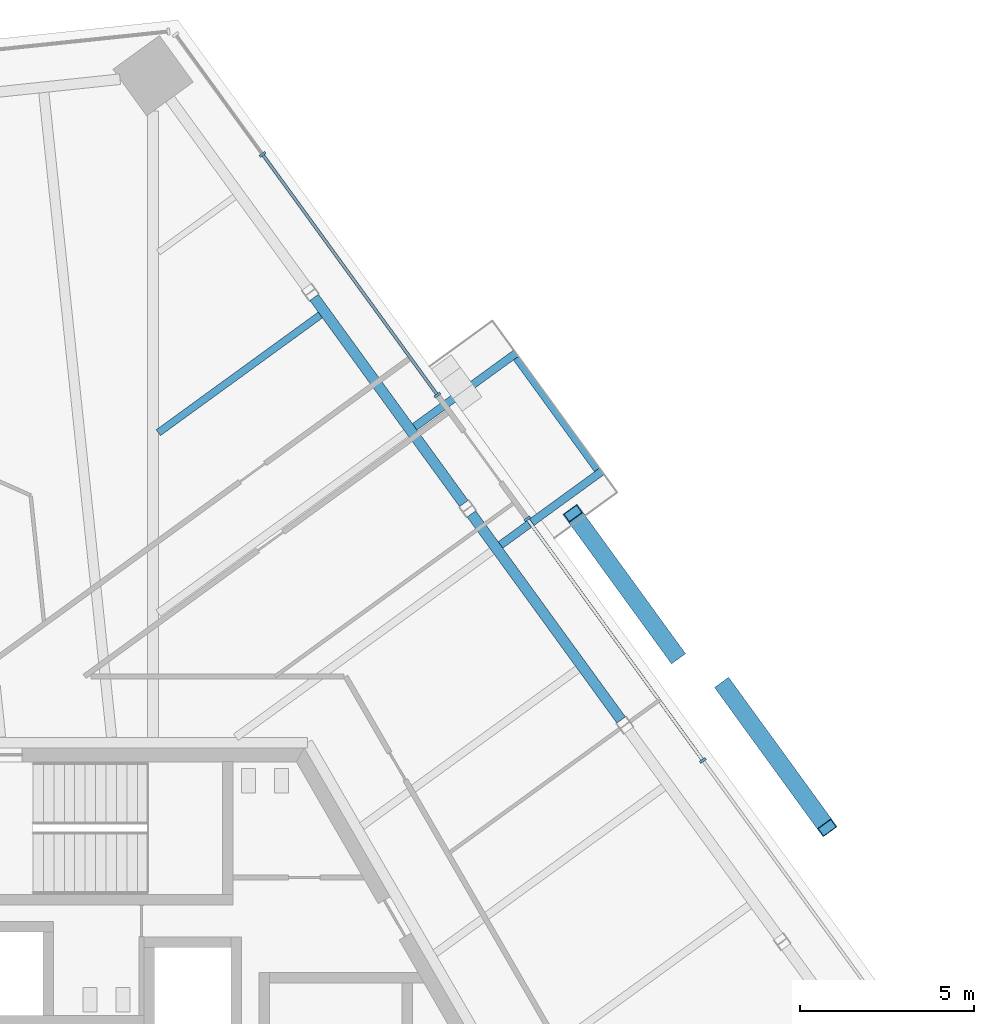
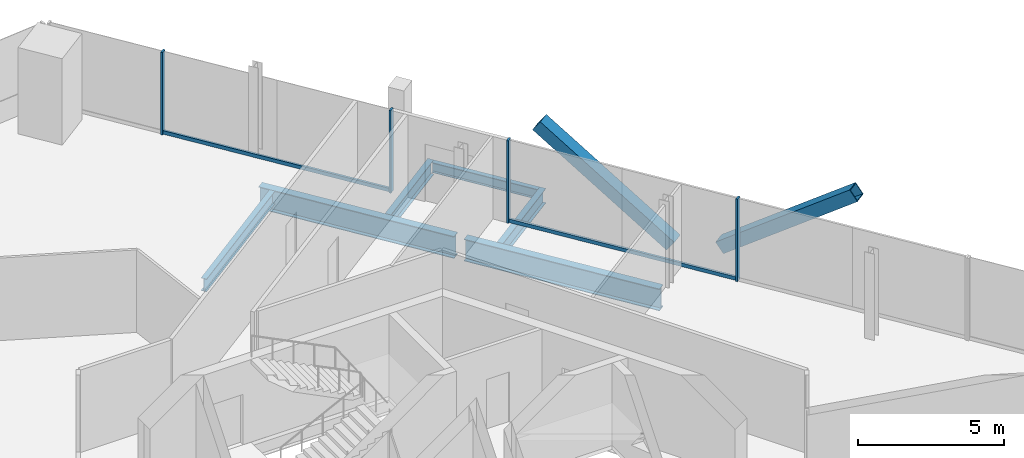
# One storey, part 9 of 18: 8 members, 6 beams, 2 elements without a shape of their own.
"""IFC4 building model written with IfcOpenShell, lengths in metres."""

from ifc_helpers import new_model, si_unit, direction, frame, origin, origin_2d, place, context, subcontext, project, spatial, rectangle, hollow_rectangle, i_section, extrude, source, transform, mapped, material, material_profile, profile_set, type_object, element, aggregate, save


model = new_model("IFC4")

# Units and contexts
model_context = context("Model", 3, precision=1e-05, world=origin(), true_north=direction((0.0, 1.0)))
body_context = subcontext(model_context, "Body", "Model", "MODEL_VIEW")
ifc_project = project(units=[si_unit("LENGTHUNIT", "METRE"), si_unit("AREAUNIT", "SQUARE_METRE"), si_unit("VOLUMEUNIT", "CUBIC_METRE"), si_unit("PLANEANGLEUNIT", "RADIAN"), si_unit("MASSUNIT", "GRAM", prefix="KILO")], contexts=[model_context])

# Site, building, storey
site_placement = place(None, origin())
site = spatial("IfcSite", under=ifc_project, at=site_placement, CompositionType="ELEMENT")
building_placement = place(site_placement, origin())
building = spatial("IfcBuilding", under=site, at=building_placement, Name="Triune Harvest Tower", CompositionType="ELEMENT")
storey_placement = place(building_placement, frame((0.0, 0.0, 237.699951171875)))
storey = spatial("IfcBuildingStorey", under=building, at=storey_placement, Name="L62", CompositionType="ELEMENT", Elevation=237.699951171875)

# Beams
ifc_material_1 = material(Name="Steel ASTM A992 Gr 50", Category="steel")
ifc_material_profile_1 = material_profile(ifc_material_1, i_section(OverallWidth=0.3046875, OverallDepth=0.914306640625, WebThickness=0.0166015625, FlangeThickness=0.02587890625, at=origin_2d()), Name="W36x160")
ifc_profile_set_1 = profile_set([ifc_material_profile_1], Name="Steel ASTM A992 Gr 50")
beam_type_1 = type_object("IfcBeamType", Name="SB-1 Spandrel beam W36x160", PredefinedType="SPANDREL", material=ifc_profile_set_1)
shared_shape_1 = source(origin(), body_context, "Body", "SweptSolid", [
    extrude(i_section(OverallWidth=0.3046875, OverallDepth=0.914306640625, WebThickness=0.0166015625, FlangeThickness=0.02587890625, at=origin_2d()), origin(), (0.0, 0.0, 1.0), 7.31103515625),
])
for number, where, z_axis, x_axis, name in (
    (1, (15.091552734375, 11.1923828125, -0.6171875), (-0.587786436325, 0.809016134124, 0.0), (-0.809016134124, -0.587786436325, 0.0), "beam/L62/SB4"),
    (2, (10.57763671875, 17.405029296875, -0.6171875), (-0.587786436325, 0.809016134124, 0.0), (-0.809016134124, -0.587786436325, 0.0), "beam/L62/SB5"),
):
    element("IfcBeam", number, at=place(storey_placement, frame(where, z_axis=z_axis, x_axis=x_axis)), inside=storey, type_object=beam_type_1, Name=name, PredefinedType="SPANDREL", context=body_context, shape_type="MappedRepresentation", body=[
        mapped(shared_shape_1, transform((0.0, 0.0, 0.0), scale=1.0)),
    ])
ifc_material_2 = material(Name="Steel ASTM A992 Gr 50", Category="steel")
ifc_material_profile_2 = material_profile(ifc_material_2, i_section(OverallWidth=0.2099609375, OverallDepth=0.535888671875, WebThickness=0.010986328125, FlangeThickness=0.017333984375, at=origin_2d()), Name="W21x68")
ifc_profile_set_2 = profile_set([ifc_material_profile_2], Name="Steel ASTM A992 Gr 50")
beam_type_2 = type_object("IfcBeamType", Name="JT-2 Floor joist W21x68", PredefinedType="JOIST", material=ifc_profile_set_2)
shared_shape_2 = source(origin(), body_context, "Body", "SweptSolid", [
    extrude(i_section(OverallWidth=0.2099609375, OverallDepth=0.535888671875, WebThickness=0.010986328125, FlangeThickness=0.017333984375, at=origin_2d()), origin(), (0.0, 0.0, 1.0), 5.745849609375),
])
beam_1_placement = place(storey_placement, frame((6.458984375, 22.814453125, -0.427978515625), z_axis=(-0.809024464979, -0.587774969751, 0.0), x_axis=(0.587774969751, -0.809024464979, 0.0)))
element("IfcBeam", 3, at=beam_1_placement, inside=storey, type_object=beam_type_2, Name="beam/L62/JT9", PredefinedType="JOIST", context=body_context, shape_type="MappedRepresentation", body=[
    mapped(shared_shape_2, transform((0.0, 0.0, 0.0), scale=1.0)),
])

# Members
ifc_material_3 = material(Name="Steel ASTM A572 Gr 50", Category="steel")
ifc_material_profile_3 = material_profile(ifc_material_3, hollow_rectangle(XDim=0.5, YDim=0.5, WallThickness=0.030029296875, at=origin_2d()), Name="Box 500x500x30")
ifc_profile_set_3 = profile_set([ifc_material_profile_3], Name="Steel ASTM A572 Gr 50")
member_type_1 = type_object("IfcMemberType", Name="BR-3 Brace Box 500x500x30", PredefinedType="BRACE", material=ifc_profile_set_3)
shared_shape_3 = source(origin(), body_context, "Body", "SweptSolid", [
    extrude(hollow_rectangle(XDim=0.5, YDim=0.5, WallThickness=0.030029296875, at=origin_2d()), origin(), (0.0, 0.0, 1.0), 6.1708984375),
])
member_1_placement = place(storey_placement, frame((18.05859375, 12.153564453125, 0.0), z_axis=(0.477406974246, -0.657062652547, 0.58339630747), x_axis=(0.809003519911, 0.587803797854, 0.0)))
element("IfcMember", 4, at=member_1_placement, inside=storey, type_object=member_type_1, Name="brace/B6-F1/d2/6", PredefinedType="BRACE", context=body_context, shape_type="MappedRepresentation", body=[
    mapped(shared_shape_3, transform((0.0, 0.0, 0.0), scale=1.0)),
])
shared_shape_4 = source(origin(), body_context, "Body", "SweptSolid", [
    extrude(hollow_rectangle(XDim=0.5, YDim=0.5, WallThickness=0.030029296875, at=origin_2d()), origin(), (0.0, 0.0, 1.0), 6.171142578125),
])
member_2_placement = place(storey_placement, frame((16.65380859375, 13.06640625, 0.0), z_axis=(-0.477394563979, 0.657085134096, 0.583381141994), x_axis=(-0.809020349448, -0.587780634403, 0.0)))
element("IfcMember", 5, at=member_2_placement, inside=storey, type_object=member_type_1, Name="brace/B6-F1/d1/6", PredefinedType="BRACE", context=body_context, shape_type="MappedRepresentation", body=[
    mapped(shared_shape_4, transform((0.0, 0.0, 0.0), scale=1.0)),
])

# Curtain wall, members
ifc_material_4 = material(Name="Aluminium bronze anodised", Category="aluminium")
curtain_wall_type_1 = type_object("IfcCurtainWallType", Name="CW-10 Balcony window wall with insulated spandrel infill", PredefinedType="NOTDEFINED", material=ifc_material_4)
curtain_wall_1_placement = place(storey_placement, origin())
curtain_wall_1 = element("IfcCurtainWall", 6, at=curtain_wall_1_placement, inside=storey, type_object=curtain_wall_type_1, Name="CW-10 B6-F1 L62 run 1001")
ifc_material_5 = material(Name="Aluminium bronze anodised", Category="aluminium")
ifc_material_profile_4 = material_profile(ifc_material_5, rectangle(XDim=0.199951171875, YDim=0.074951171875, at=origin_2d()), Name="MU-6 mullion 75 x 200")
ifc_profile_set_4 = profile_set([ifc_material_profile_4], Name="Aluminium bronze anodised")
member_type_2 = type_object("IfcMemberType", Name="MU-6 mullion 75 x 200", PredefinedType="MULLION", material=ifc_profile_set_4)
shared_shape_5 = source(origin(), body_context, "Body", "SweptSolid", [
    extrude(rectangle(XDim=0.199951171875, YDim=0.074951171875, at=origin_2d()), origin(), (0.0, 0.0, 1.0), 3.43994140625),
])
member_3_placement = place(storey_placement, frame((17.4365234375, 10.032470703125, 0.0), z_axis=(0.0, 0.0, 1.0), x_axis=(-0.809017664961, -0.587784329309, 0.0)))
member_3 = element("IfcMember", 7, at=member_3_placement, type_object=member_type_2, Name="CW-10 mullion B6-F1 1001.3", PredefinedType="MULLION", context=body_context, shape_type="MappedRepresentation", body=[
    mapped(shared_shape_5, transform((0.0, 0.0, 0.0), scale=1.0)),
])
member_4_placement = place(storey_placement, frame((12.399658203125, 16.96533203125, 0.0), z_axis=(0.0, 0.0, 1.0), x_axis=(-0.809017664961, -0.587784329309, 0.0)))
member_4 = element("IfcMember", 8, at=member_4_placement, type_object=member_type_2, Name="CW-10 mullion B6-F1 1001.5", PredefinedType="MULLION", context=body_context, shape_type="MappedRepresentation", body=[
    mapped(shared_shape_5, transform((0.0, 0.0, 0.0), scale=1.0)),
])

ifc_material_6 = material(Name="Aluminium bronze anodised", Category="aluminium")
curtain_wall_type_2 = type_object("IfcCurtainWallType", Name="CW-6 Balcony window wall", PredefinedType="NOTDEFINED", material=ifc_material_6)
curtain_wall_2_placement = place(storey_placement, origin())
curtain_wall_2 = element("IfcCurtainWall", 9, at=curtain_wall_2_placement, inside=storey, type_object=curtain_wall_type_2, Name="CW-6 B6-F1 L62 run 2")
member_5_placement = place(storey_placement, frame((9.818359375, 20.51806640625, 0.0), z_axis=(0.0, 0.0, 1.0), x_axis=(-0.809016689391, -0.587785672066, 0.0)))
member_5 = element("IfcMember", 10, at=member_5_placement, type_object=member_type_2, Name="CW-6 mullion B6-F1 2.1", PredefinedType="MULLION", context=body_context, shape_type="MappedRepresentation", body=[
    mapped(shared_shape_5, transform((0.0, 0.0, 0.0), scale=1.0)),
])
member_6_placement = place(storey_placement, frame((4.801513671875, 27.42333984375, 0.0), z_axis=(0.0, 0.0, 1.0), x_axis=(-0.809016689391, -0.587785672066, 0.0)))
member_6 = element("IfcMember", 11, at=member_6_placement, type_object=member_type_2, Name="CW-6 mullion B6-F1 2.3", PredefinedType="MULLION", context=body_context, shape_type="MappedRepresentation", body=[
    mapped(shared_shape_5, transform((0.0, 0.0, 0.0), scale=1.0)),
])

# Beams
ifc_material_7 = material(Name="Steel ASTM A992 Gr 50", Category="steel")
ifc_material_profile_5 = material_profile(ifc_material_7, i_section(OverallWidth=0.22900390625, OverallDepth=0.612060546875, WebThickness=0.011962890625, FlangeThickness=0.01953125, at=origin_2d()), Name="W24x84")
ifc_profile_set_5 = profile_set([ifc_material_profile_5], Name="Steel ASTM A992 Gr 50")
beam_type_3 = type_object("IfcBeamType", Name="BJ-3 Balcony cantilever joist W24x84", PredefinedType="JOIST", material=ifc_profile_set_5)
shared_shape_6 = source(origin(), body_context, "Body", "SweptSolid", [
    extrude(i_section(OverallWidth=0.22900390625, OverallDepth=0.612060546875, WebThickness=0.011962890625, FlangeThickness=0.01953125, at=origin_2d()), origin(), (0.0, 0.0, 1.0), 3.59765625),
])
for number, where, z_axis, x_axis, name in (
    (12, (9.167724609375, 19.60498046875, -0.466064453125), (0.809044100951, 0.587747941481, 0.0), (-0.587747941481, 0.809044100951, 0.0), "Balcony cantilever joist B6-F1 L62.8a"),
    (13, (11.6298828125, 16.216064453125, -0.466064453125), (0.809011831954, 0.58779235769, 0.0), (-0.58779235769, 0.809011831954, 0.0), "Balcony cantilever joist B6-F1 L62.8b"),
):
    element("IfcBeam", number, at=place(storey_placement, frame(where, z_axis=z_axis, x_axis=x_axis)), inside=storey, type_object=beam_type_3, Name=name, PredefinedType="JOIST", context=body_context, shape_type="MappedRepresentation", body=[
        mapped(shared_shape_6, transform((0.0, 0.0, 0.0), scale=1.0)),
    ])

# Member
ifc_material_8 = material(Name="Aluminium bronze anodised", Category="aluminium")
ifc_material_profile_6 = material_profile(ifc_material_8, rectangle(XDim=0.090087890625, YDim=0.14990234375, at=origin_2d()), Name="TR-6 transom 90 x 150")
ifc_profile_set_6 = profile_set([ifc_material_profile_6], Name="Aluminium bronze anodised")
member_type_3 = type_object("IfcMemberType", Name="TR-6 transom 90 x 150", PredefinedType="USERDEFINED", material=ifc_profile_set_6)
shared_shape_7 = source(origin(), body_context, "Body", "SweptSolid", [
    extrude(rectangle(XDim=0.090087890625, YDim=0.14990234375, at=origin_2d()), origin(), (0.0, 0.0, 1.0), 8.460205078125),
])
member_7_placement = place(storey_placement, frame((9.79638671875, 20.548583984375, 0.074951171875), z_axis=(-0.587792433733, 0.809011776705, 0.0), x_axis=(-0.809011776705, -0.587792433733, 0.0)))
member_7 = element("IfcMember", 14, at=member_7_placement, type_object=member_type_3, Name="CW-6 transom B6-F1 2.1", ObjectType="TRANSOM", PredefinedType="USERDEFINED", context=body_context, shape_type="MappedRepresentation", body=[
    mapped(shared_shape_7, transform((0.0, 0.0, 0.0), scale=1.0)),
])

aggregate(curtain_wall_2, [member_5, member_6, member_7])

shared_shape_8 = source(origin(), body_context, "Body", "SweptSolid", [
    extrude(rectangle(XDim=0.090087890625, YDim=0.14990234375, at=origin_2d()), origin(), (0.0, 0.0, 1.0), 8.494384765625),
])
member_8_placement = place(storey_placement, frame((17.41455078125, 10.06298828125, 0.074951171875), z_axis=(-0.587790536837, 0.809013154902, 0.0), x_axis=(-0.809013154902, -0.587790536837, 0.0)))
member_8 = element("IfcMember", 15, at=member_8_placement, type_object=member_type_3, Name="CW-10 transom B6-F1 1001.2", ObjectType="TRANSOM", PredefinedType="USERDEFINED", context=body_context, shape_type="MappedRepresentation", body=[
    mapped(shared_shape_8, transform((0.0, 0.0, 0.0), scale=1.0)),
])

aggregate(curtain_wall_1, [member_3, member_4, member_8])

# Beam
ifc_material_9 = material(Name="Steel ASTM A992 Gr 50", Category="steel")
ifc_material_profile_7 = material_profile(ifc_material_9, i_section(OverallWidth=0.180908203125, OverallDepth=0.41650390625, WebThickness=0.010986328125, FlangeThickness=0.01806640625, at=origin_2d()), Name="W16x57")
ifc_profile_set_7 = profile_set([ifc_material_profile_7], Name="Steel ASTM A992 Gr 50")
beam_type_4 = type_object("IfcBeamType", Name="BE-1 balcony edge beam W16x57", PredefinedType="BEAM", material=ifc_profile_set_7)
shared_shape_9 = source(origin(), body_context, "Body", "SweptSolid", [
    extrude(i_section(OverallWidth=0.180908203125, OverallDepth=0.41650390625, WebThickness=0.010986328125, FlangeThickness=0.01806640625, at=origin_2d()), origin(), (0.0, 0.0, 1.0), 3.959716796875),
])
beam_2_placement = place(storey_placement, frame((12.072509765625, 21.57373046875, -0.3681640625), z_axis=(0.587757365392, -0.80903725466, 0.0), x_axis=(0.80903725466, 0.587757365392, 0.0)))
element("IfcBeam", 16, at=beam_2_placement, inside=storey, type_object=beam_type_4, Name="Balcony edge beam B6-F1 L62.8", PredefinedType="BEAM", context=body_context, shape_type="MappedRepresentation", body=[
    mapped(shared_shape_9, transform((0.0, 0.0, 0.0), scale=1.0)),
])

save(model, "model.ifc")
